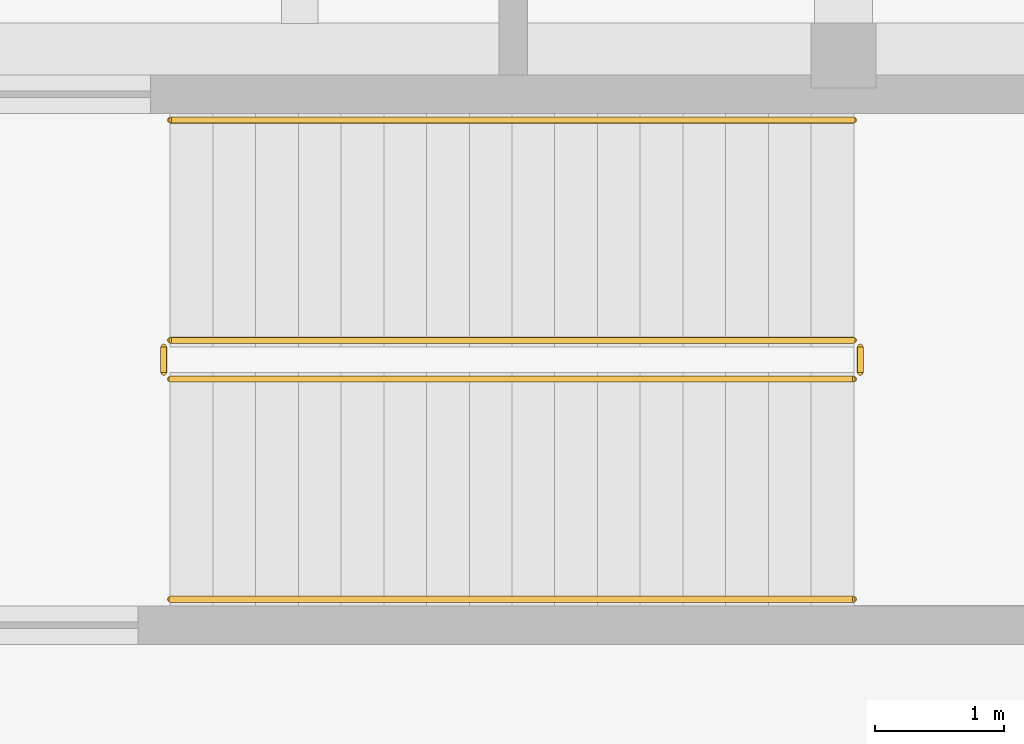
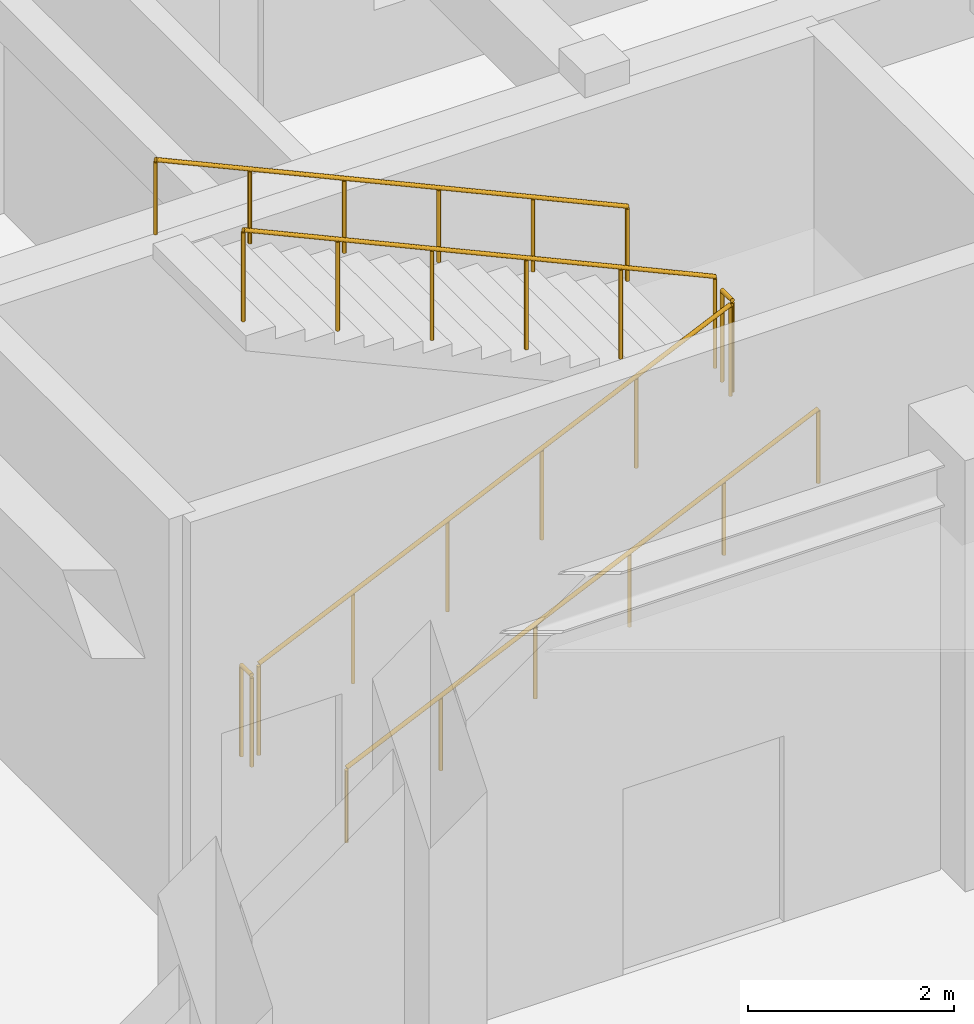
# One storey, part 119 of 121: 6 railings.
"""IFC4 building model written with IfcOpenShell, lengths in metres."""

import ifcopenshell
import ifcopenshell.guid

model = None  # the IFC model being written
_history = None  # IfcOwnerHistory: only IFC2X3 demands one
_inside = {}  # id of a spatial element -> (the spatial element, [elements in it])
_under = {}  # id of a project, library or spatial element -> (it, [spatial elements below it])
_declared = {}  # id of a project -> (the project, [libraries it declares])
_typed = {}  # id of a type object -> (the type object, [elements of that type])
_made_of = {}  # id of a material, layer set ... -> (it, [elements and type objects made of it])


def new_model(schema):
    """Start an empty IFC model of exactly this schema.

    Asked for "IFC4X3", IfcOpenShell would pick the latest addendum, in which some entities
    have other attributes; the version numbers below select the first issue.
    IFC2X3 requires an IfcOwnerHistory on every rooted entity: one is made here for all.
    """
    global model, _history
    if schema == "IFC4X3":
        model = ifcopenshell.file(schema_version=(4, 3, 0, 0))
    else:
        model = ifcopenshell.file(schema=schema)
    _inside.clear()
    _under.clear()
    _declared.clear()
    _typed.clear()
    _made_of.clear()
    _history = None
    if model.schema == "IFC2X3":
        org = make("IfcOrganization", Name="unknown")
        user = make(
            "IfcPersonAndOrganization",
            ThePerson=make("IfcPerson", FamilyName="unknown"),
            TheOrganization=org,
        )
        app = make(
            "IfcApplication",
            ApplicationDeveloper=org,
            Version="unknown",
            ApplicationFullName="unknown",
            ApplicationIdentifier="unknown",
        )
        _history = make(
            "IfcOwnerHistory",
            OwningUser=user,
            OwningApplication=app,
            ChangeAction="ADDED",
            CreationDate=0,
        )
    return model


def make(cls, **values):
    """One entity of the class cls with the attributes given. An attribute that is None is left unset."""
    return model.create_entity(
        cls, **{name: value for name, value in values.items() if value is not None}
    )


def rooted(cls, **values):
    """An entity with a GlobalId (a new one), such as an element, a storey or a relation."""
    return make(cls, GlobalId=ifcopenshell.guid.new(), OwnerHistory=_history, **values)


def si_unit(unit_type, name, prefix=None):
    """IfcSIUnit, for example si_unit("LENGTHUNIT", "METRE", prefix="MILLI")."""
    return make("IfcSIUnit", UnitType=unit_type, Prefix=prefix, Name=name)


def assignment(units):
    """IfcUnitAssignment: the units of a project."""
    return None if units is None else make("IfcUnitAssignment", Units=units)


def point(xyz):
    """IfcCartesianPoint."""
    return None if xyz is None else make("IfcCartesianPoint", Coordinates=xyz)


def direction(xyz):
    """IfcDirection."""
    return None if xyz is None else make("IfcDirection", DirectionRatios=xyz)


def frame(location, z_axis=None, x_axis=None):
    """IfcAxis2Placement3D, a coordinate frame: its origin and axes. An axis left out is left unset."""
    return make(
        "IfcAxis2Placement3D",
        Location=point(location),
        Axis=direction(z_axis),
        RefDirection=direction(x_axis),
    )


def frame_2d(location, x_axis=None):
    """IfcAxis2Placement2D, a coordinate frame in the plane: its origin and x axis."""
    return make(
        "IfcAxis2Placement2D", Location=point(location), RefDirection=direction(x_axis)
    )


def origin():
    """The frame at (0, 0, 0) with its axes left unset."""
    return frame((0.0, 0.0, 0.0))


def origin_2d():
    """The frame at (0, 0) in the plane with its x axis left unset."""
    return frame_2d((0.0, 0.0))


def place(relative_to, where):
    """IfcLocalPlacement: puts the frame where relative to a parent placement (None: the world)."""
    return make(
        "IfcLocalPlacement", PlacementRelTo=relative_to, RelativePlacement=where
    )


def context(
    kind, dimensions, precision=None, world=None, true_north=None, identifier=None
):
    """IfcGeometricRepresentationContext, for example the 3D "Model" context."""
    return make(
        "IfcGeometricRepresentationContext",
        ContextIdentifier=identifier,
        ContextType=kind,
        CoordinateSpaceDimension=dimensions,
        Precision=precision,
        WorldCoordinateSystem=world,
        TrueNorth=true_north,
    )


def subcontext(parent, identifier, kind, view, scale=None):
    """IfcGeometricRepresentationSubContext, for example "Body" below "Model"."""
    return make(
        "IfcGeometricRepresentationSubContext",
        ContextIdentifier=identifier,
        ContextType=kind,
        ParentContext=parent,
        TargetScale=scale,
        TargetView=view,
    )


def project(units=None, contexts=None):
    """IfcProject with its units and contexts."""
    return rooted(
        "IfcProject",
        Name="project",
        RepresentationContexts=contexts,
        UnitsInContext=assignment(units),
    )


def spatial(cls, under=None, at=None, **own):
    """A site, building, storey or space (cls), placed at a placement, below another one or the project."""
    s = rooted(cls, ObjectPlacement=at, **own)
    if under is not None:
        _under.setdefault(under.id(), (under, []))[1].append(s)
    return s


def profile(cls, at=None, kind="AREA", **sizes):
    """A parametric profile (cls). Its sizes go by their IFC names, for example OverallWidth=200.0."""
    return make(cls, ProfileType=kind, Position=at, **sizes)


def circle(**sizes):
    """IfcCircleProfileDef."""
    return profile("IfcCircleProfileDef", **sizes)


def extrude(swept, where, along, depth):
    """IfcExtrudedAreaSolid: the profile swept, set in the frame where, extruded along a direction by depth."""
    return make(
        "IfcExtrudedAreaSolid",
        SweptArea=swept,
        Position=where,
        ExtrudedDirection=direction(along),
        Depth=depth,
    )


def shape(context_of_items, identifier, shape_type, items):
    """IfcShapeRepresentation: the items that make up one representation, for example the "Body"."""
    return make(
        "IfcShapeRepresentation",
        ContextOfItems=context_of_items,
        RepresentationIdentifier=identifier,
        RepresentationType=shape_type,
        Items=items,
    )


def material(Name=None, Category=None):
    """IfcMaterial."""
    return make("IfcMaterial", Name=Name, Category=Category)


def layer(
    of_material, thickness, ventilated=None, Name=None, Category=None, Priority=None
):
    """IfcMaterialLayer: one layer of a wall or slab, of a material (None: an air gap)."""
    return make(
        "IfcMaterialLayer",
        Material=of_material,
        LayerThickness=thickness,
        IsVentilated=ventilated,
        Name=Name,
        Category=Category,
        Priority=Priority,
    )


def layer_set(layers, Name=None):
    """IfcMaterialLayerSet."""
    return make("IfcMaterialLayerSet", MaterialLayers=layers, LayerSetName=Name)


def made_of(thing, what):
    """Note that an element or type object is made of a material, layer set ...; save() writes the relation."""
    if what is not None:
        _made_of.setdefault(what.id(), (what, []))[1].append(thing)
    return thing


def type_object(cls, material=None, **own):
    """A type object (cls), such as IfcWallType, which elements share."""
    return made_of(rooted(cls, **own), material)


def element(
    cls,
    number,
    at=None,
    inside=None,
    cuts=None,
    type_object=None,
    material=None,
    context=None,
    identifier="Body",
    shape_type=None,
    held_by="IfcProductDefinitionShape",
    body=None,
    shapes=None,
    **own,
):
    """One element of the class cls, such as IfcWall. Its Tag is "e" and its number.

    at: its placement. inside: the storey or other place that contains it. cuts: it is an
    opening in that element (IfcRelVoidsElement). A single representation is given by context,
    identifier, shape_type and body (its items); several are given by shapes. held_by: the class
    of the entity that holds the representations. save() writes the other relations.
    """
    e = rooted(cls, Tag="e%d" % number, ObjectPlacement=at, **own)
    if body is not None:
        shapes = [shape(context, identifier, shape_type, body)]
    if shapes is not None:
        e.Representation = make(held_by, Representations=shapes)
    if inside is not None:
        _inside.setdefault(inside.id(), (inside, []))[1].append(e)
    if cuts is not None:
        rooted(
            "IfcRelVoidsElement", RelatingBuildingElement=cuts, RelatedOpeningElement=e
        )
    if type_object is not None:
        _typed.setdefault(type_object.id(), (type_object, []))[1].append(e)
    return made_of(e, material)


def aggregate(whole, parts):
    """IfcRelAggregates: a whole, such as a stair, and the parts it consists of."""
    return rooted("IfcRelAggregates", RelatingObject=whole, RelatedObjects=parts)


def save(model, path):
    """Write the relations noted so far, then the file.

    IfcRelAggregates (storeys below a building ...), IfcRelContainedInSpatialStructure (elements
    in a storey), IfcRelDefinesByType, IfcRelAssociatesMaterial and IfcRelDeclares: one each for
    every whole, place, type object, material and project.
    """
    for whole, parts in _under.values():
        aggregate(whole, parts)
    for where, things in _inside.values():
        rooted(
            "IfcRelContainedInSpatialStructure",
            RelatedElements=things,
            RelatingStructure=where,
        )
    for kind, things in _typed.values():
        rooted("IfcRelDefinesByType", RelatedObjects=things, RelatingType=kind)
    for what, things in _made_of.values():
        rooted("IfcRelAssociatesMaterial", RelatedObjects=things, RelatingMaterial=what)
    for by, libraries in _declared.values():
        rooted("IfcRelDeclares", RelatingContext=by, RelatedDefinitions=libraries)
    model.write(path)


model = new_model("IFC4")

# Units and contexts
model_context = context("Model", 3, precision=1e-05, world=origin(), true_north=direction((0.0, 1.0)))
body_context = subcontext(model_context, "Body", "Model", "MODEL_VIEW")
ifc_project = project(units=[si_unit("LENGTHUNIT", "METRE"), si_unit("AREAUNIT", "SQUARE_METRE"), si_unit("VOLUMEUNIT", "CUBIC_METRE"), si_unit("PLANEANGLEUNIT", "RADIAN"), si_unit("MASSUNIT", "GRAM", prefix="KILO")], contexts=[model_context])

# Site, building, storey
site_placement = place(None, origin())
site = spatial("IfcSite", under=ifc_project, at=site_placement, CompositionType="ELEMENT")
building_placement = place(site_placement, origin())
building = spatial("IfcBuilding", under=site, at=building_placement, Name="Malvenik Polytechnic", CompositionType="ELEMENT")
storey_placement = place(building_placement, origin())
storey = spatial("IfcBuildingStorey", under=building, at=storey_placement, Name="L00", CompositionType="ELEMENT", Elevation=0.0)

# Railings
ifc_material_1 = material(Name="Painted galvanised steel stair well balustrade 1100mm", Category="steel")
ifc_layer_1 = layer(ifc_material_1, 0.050048828125)
ifc_layer_set_1 = layer_set([ifc_layer_1], Name="Painted galvanised steel stair well balustrade 1100mm")
railing_type_1 = type_object("IfcRailingType", Name="ARC-RL-STGD", PredefinedType="BALUSTRADE", material=ifc_layer_set_1)
railing_1_placement = place(storey_placement, frame((171.199951171875, 98.300048828125, 0.14990234375)))
element("IfcRailing", 1, at=railing_1_placement, inside=storey, type_object=railing_type_1, Name="L00 ST-12 stair guard 1", PredefinedType="BALUSTRADE", context=body_context, shape_type="SweptSolid", body=[
    extrude(circle(Radius=0.02392578125, at=origin_2d()), frame((0.0, 0.0, 1.076171875), z_axis=(0.910357827898, 0.0, 0.413821972815), x_axis=(0.0, 1.0, 0.0)), (0.0, 0.0, 1.0), 5.800048828125),
    extrude(circle(Radius=0.02099609375, at=origin_2d()), origin(), (0.0, 0.0, 1.0), 1.052001953125),
    extrude(circle(Radius=0.02099609375, at=origin_2d()), frame((1.055908203125, 0.0, 0.47998046875)), (0.0, 0.0, 1.0), 1.052001953125),
    extrude(circle(Radius=0.02099609375, at=origin_2d()), frame((2.112060546875, 0.0, 0.9599609375)), (0.0, 0.0, 1.0), 1.052001953125),
    extrude(circle(Radius=0.02099609375, at=origin_2d()), frame((3.16796875, 0.0, 1.440185546875)), (0.0, 0.0, 1.0), 1.052001953125),
    extrude(circle(Radius=0.02099609375, at=origin_2d()), frame((4.22412109375, 0.0, 1.920166015625)), (0.0, 0.0, 1.0), 1.052001953125),
    extrude(circle(Radius=0.02099609375, at=origin_2d()), frame((5.280029296875, 0.0, 2.400146484375)), (0.0, 0.0, 1.0), 1.052001953125),
])
railing_2_placement = place(storey_placement, frame((176.530029296875, 98.35009765625, 2.550048828125)))
element("IfcRailing", 2, at=railing_2_placement, inside=storey, type_object=railing_type_1, Name="L00 ST-12 stair guard 2", PredefinedType="BALUSTRADE", context=body_context, shape_type="SweptSolid", body=[
    extrude(circle(Radius=0.02392578125, at=origin_2d()), frame((0.0, 0.0, 1.076171875), z_axis=(0.0, 1.0, 0.0), x_axis=(-1.0, 0.0, 0.0)), (0.0, 0.0, 1.0), 0.199951171875),
    extrude(circle(Radius=0.02099609375, at=origin_2d()), origin(), (0.0, 0.0, 1.0), 1.052001953125),
    extrude(circle(Radius=0.02099609375, at=origin_2d()), frame((0.0, 0.199951171875, 0.0)), (0.0, 0.0, 1.0), 1.052001953125),
])
railing_3_placement = place(storey_placement, frame((176.47998046875, 98.60009765625, 2.699951171875)))
element("IfcRailing", 3, at=railing_3_placement, inside=storey, type_object=railing_type_1, Name="L00 ST-12 stair guard 3", PredefinedType="BALUSTRADE", context=body_context, shape_type="SweptSolid", body=[
    extrude(circle(Radius=0.02392578125, at=origin_2d()), frame((0.0, 0.0, 1.076171875), z_axis=(-0.910357827898, 0.0, 0.413821972815), x_axis=(0.0, -1.0, 0.0)), (0.0, 0.0, 1.0), 5.800048828125),
    extrude(circle(Radius=0.02099609375, at=origin_2d()), origin(), (0.0, 0.0, 1.0), 1.052001953125),
    extrude(circle(Radius=0.02099609375, at=origin_2d()), frame((-1.055908203125, 0.0, 0.47998046875)), (0.0, 0.0, 1.0), 1.052001953125),
    extrude(circle(Radius=0.02099609375, at=origin_2d()), frame((-2.112060546875, 0.0, 0.9599609375)), (0.0, 0.0, 1.0), 1.052001953125),
    extrude(circle(Radius=0.02099609375, at=origin_2d()), frame((-3.16796875, 0.0, 1.440185546875)), (0.0, 0.0, 1.0), 1.052001953125),
    extrude(circle(Radius=0.02099609375, at=origin_2d()), frame((-4.22412109375, 0.0, 1.920166015625)), (0.0, 0.0, 1.0), 1.052001953125),
    extrude(circle(Radius=0.02099609375, at=origin_2d()), frame((-5.280029296875, 0.0, 2.400146484375)), (0.0, 0.0, 1.0), 1.052001953125),
])
railing_4_placement = place(storey_placement, frame((171.14990234375, 98.35009765625, 0.0)))
element("IfcRailing", 4, at=railing_4_placement, inside=storey, type_object=railing_type_1, Name="L00 ST-12 stair guard 4", PredefinedType="BALUSTRADE", context=body_context, shape_type="SweptSolid", body=[
    extrude(circle(Radius=0.02392578125, at=origin_2d()), frame((0.0, 0.0, 1.076171875), z_axis=(0.0, 1.0, 0.0), x_axis=(-1.0, 0.0, 0.0)), (0.0, 0.0, 1.0), 0.199951171875),
    extrude(circle(Radius=0.02099609375, at=origin_2d()), origin(), (0.0, 0.0, 1.0), 1.052001953125),
    extrude(circle(Radius=0.02099609375, at=origin_2d()), frame((0.0, 0.199951171875, 0.0)), (0.0, 0.0, 1.0), 1.052001953125),
])
ifc_material_2 = material(Name="Brushed stainless steel 1.4301 stair wall handrail", Category="steel")
ifc_layer_2 = layer(ifc_material_2, 0.044921875)
ifc_layer_set_2 = layer_set([ifc_layer_2], Name="Brushed stainless steel 1.4301 stair wall handrail")
railing_type_2 = type_object("IfcRailingType", Name="ARC-RL-STHR", PredefinedType="HANDRAIL", material=ifc_layer_set_2)
railing_5_placement = place(storey_placement, frame((171.199951171875, 96.60009765625, 0.14990234375)))
element("IfcRailing", 5, at=railing_5_placement, inside=storey, type_object=railing_type_2, Name="L00 ST-12 stair handrail 1", PredefinedType="HANDRAIL", context=body_context, shape_type="SweptSolid", body=[
    extrude(circle(Radius=0.02392578125, at=origin_2d()), frame((0.0, 0.0, 0.8759765625), z_axis=(0.910357827898, 0.0, 0.413821972815), x_axis=(0.0, 1.0, 0.0)), (0.0, 0.0, 1.0), 5.800048828125),
    extrude(circle(Radius=0.02099609375, at=origin_2d()), origin(), (0.0, 0.0, 1.0), 0.851806640625),
    extrude(circle(Radius=0.02099609375, at=origin_2d()), frame((1.055908203125, 0.0, 0.47998046875)), (0.0, 0.0, 1.0), 0.851806640625),
    extrude(circle(Radius=0.02099609375, at=origin_2d()), frame((2.112060546875, 0.0, 0.9599609375)), (0.0, 0.0, 1.0), 0.851806640625),
    extrude(circle(Radius=0.02099609375, at=origin_2d()), frame((3.16796875, 0.0, 1.440185546875)), (0.0, 0.0, 1.0), 0.851806640625),
    extrude(circle(Radius=0.02099609375, at=origin_2d()), frame((4.22412109375, 0.0, 1.920166015625)), (0.0, 0.0, 1.0), 0.851806640625),
    extrude(circle(Radius=0.02099609375, at=origin_2d()), frame((5.280029296875, 0.0, 2.400146484375)), (0.0, 0.0, 1.0), 0.851806640625),
])
railing_6_placement = place(storey_placement, frame((176.47998046875, 100.300048828125, 2.699951171875)))
element("IfcRailing", 6, at=railing_6_placement, inside=storey, type_object=railing_type_2, Name="L00 ST-12 stair handrail 2", PredefinedType="HANDRAIL", context=body_context, shape_type="SweptSolid", body=[
    extrude(circle(Radius=0.02392578125, at=origin_2d()), frame((0.0, 0.0, 0.8759765625), z_axis=(-0.910357827898, 0.0, 0.413821972815), x_axis=(0.0, -1.0, 0.0)), (0.0, 0.0, 1.0), 5.800048828125),
    extrude(circle(Radius=0.02099609375, at=origin_2d()), origin(), (0.0, 0.0, 1.0), 0.851806640625),
    extrude(circle(Radius=0.02099609375, at=origin_2d()), frame((-1.055908203125, 0.0, 0.47998046875)), (0.0, 0.0, 1.0), 0.851806640625),
    extrude(circle(Radius=0.02099609375, at=origin_2d()), frame((-2.112060546875, 0.0, 0.9599609375)), (0.0, 0.0, 1.0), 0.851806640625),
    extrude(circle(Radius=0.02099609375, at=origin_2d()), frame((-3.16796875, 0.0, 1.440185546875)), (0.0, 0.0, 1.0), 0.851806640625),
    extrude(circle(Radius=0.02099609375, at=origin_2d()), frame((-4.22412109375, 0.0, 1.920166015625)), (0.0, 0.0, 1.0), 0.851806640625),
    extrude(circle(Radius=0.02099609375, at=origin_2d()), frame((-5.280029296875, 0.0, 2.400146484375)), (0.0, 0.0, 1.0), 0.851806640625),
])

save(model, "model.ifc")
